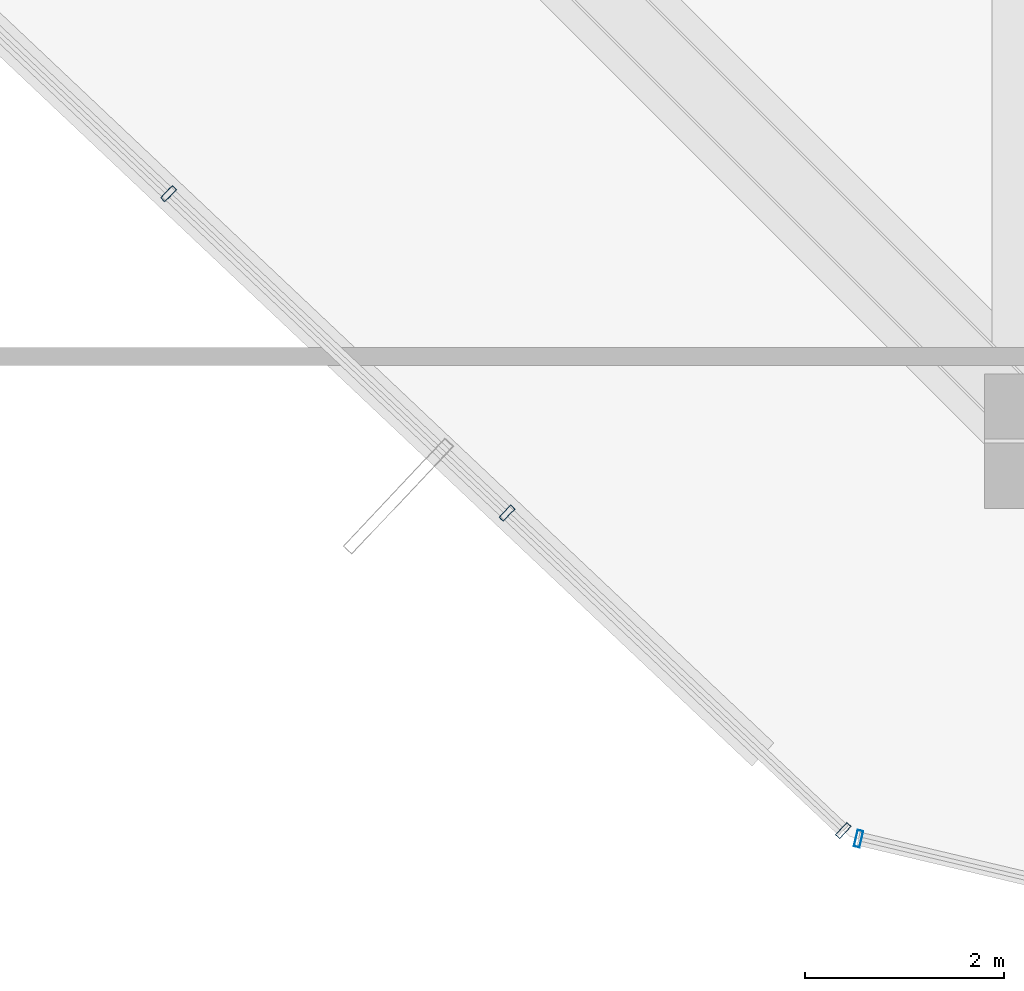
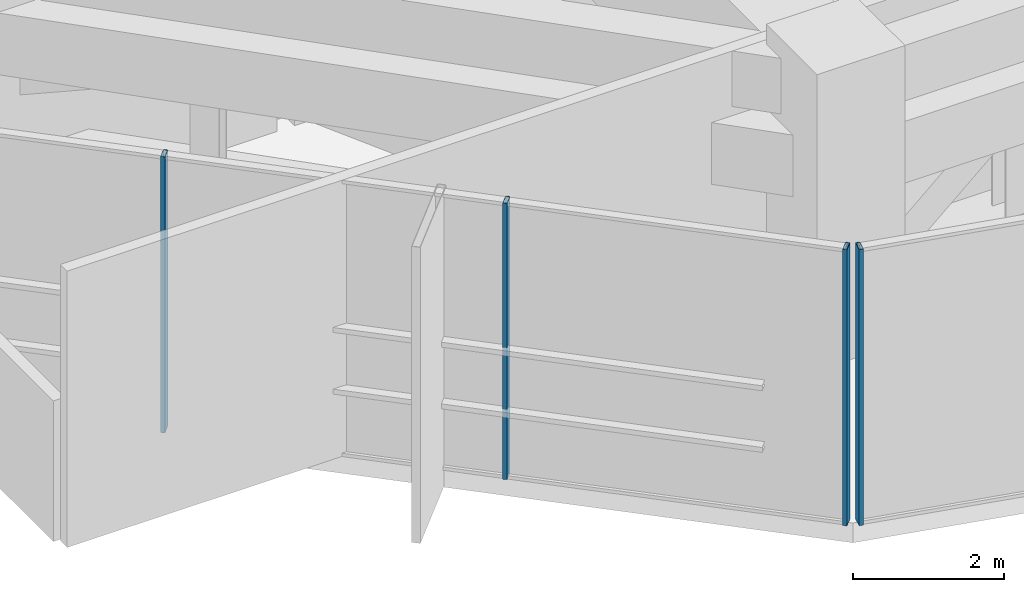
# One storey, part 2 of 41: 4 members, 2 elements without a shape of their own.
"""IFC4 building model written with IfcOpenShell, lengths in metres."""

from ifc_helpers import new_model, si_unit, direction, frame, origin, origin_2d, place, context, subcontext, project, spatial, hollow_rectangle, extrude, source, transform, mapped, material, layer, layer_set, material_profile, profile_set, type_object, element, aggregate, save


model = new_model("IFC4")

# Units and contexts
model_context = context("Model", 3, precision=1e-05, world=origin(), true_north=direction((0.0, 1.0)))
body_context = subcontext(model_context, "Body", "Model", "MODEL_VIEW")
ifc_project = project(units=[si_unit("LENGTHUNIT", "METRE"), si_unit("AREAUNIT", "SQUARE_METRE"), si_unit("VOLUMEUNIT", "CUBIC_METRE"), si_unit("PLANEANGLEUNIT", "RADIAN"), si_unit("MASSUNIT", "GRAM", prefix="KILO")], contexts=[model_context])

# Site, building, storey
site_placement = place(None, origin())
site = spatial("IfcSite", under=ifc_project, at=site_placement, CompositionType="ELEMENT")
building_placement = place(site_placement, origin())
building = spatial("IfcBuilding", under=site, at=building_placement, Name="Veraguas Prism Commons", CompositionType="ELEMENT")
storey_placement = place(building_placement, frame((0.0, 0.0, 80.35009765625)))
storey = spatial("IfcBuildingStorey", under=building, at=storey_placement, Name="L22", CompositionType="ELEMENT", Elevation=80.35009765625)

# Curtain wall, members
ifc_material = material(Name="Anodised aluminium EN AW-6063 T6", Category="aluminium")
ifc_layer = layer(ifc_material, 0.169921875, Name="Unitised Flush Curtain Wall Zone 1", Category="aluminium")
ifc_layer_set = layer_set([ifc_layer], Name="Anodised aluminium EN AW-6063 T6")
curtain_wall_type = type_object("IfcCurtainWallType", Name="Unitised Flush Curtain Wall Zone 1", PredefinedType="NOTDEFINED", material=ifc_layer_set)
curtain_wall_1_placement = place(storey_placement, origin())
curtain_wall_1 = element("IfcCurtainWall", 1, at=curtain_wall_1_placement, inside=storey, type_object=curtain_wall_type, Name="Tower Facade Curtain Wall L22-F4", PredefinedType="NOTDEFINED")
ifc_material_profile = material_profile(ifc_material, hollow_rectangle(XDim=0.06005859375, YDim=0.169921875, WallThickness=0.00390625, at=origin_2d()), Name="AL60X170X4")
ifc_profile_set = profile_set([ifc_material_profile], Name="Anodised aluminium EN AW-6063 T6")
member_type = type_object("IfcMemberType", Name="Curtain Wall Mullion Lower AL 60x170x4", PredefinedType="MULLION", material=ifc_profile_set)
shared_shape = source(origin(), body_context, "Body", "SweptSolid", [
    extrude(hollow_rectangle(XDim=0.06005859375, YDim=0.169921875, WallThickness=0.00390625, at=origin_2d()), origin(), (0.0, 0.0, 1.0), 4.47998046875),
])
member_1_placement = place(storey_placement, frame((9.73486328125, 8.883544921875, 0.0), z_axis=(0.0, 0.0, 1.0), x_axis=(0.727294986673, -0.686324997621, 0.0)))
member_1 = element("IfcMember", 2, at=member_1_placement, type_object=member_type, Name="CW-Z1 Mullion 3", PredefinedType="MULLION", context=body_context, shape_type="MappedRepresentation", body=[
    mapped(shared_shape, transform((0.0, 0.0, 0.0), scale=1.0)),
])
member_2_placement = place(storey_placement, frame((13.132080078125, 5.677734375, 0.0), z_axis=(0.0, 0.0, 1.0), x_axis=(0.727294986673, -0.686324997621, 0.0)))
member_2 = element("IfcMember", 3, at=member_2_placement, type_object=member_type, Name="CW-Z1 Mullion 4", PredefinedType="MULLION", context=body_context, shape_type="MappedRepresentation", body=[
    mapped(shared_shape, transform((0.0, 0.0, 0.0), scale=1.0)),
])
member_3_placement = place(storey_placement, frame((16.507568359375, 2.492431640625, 0.0), z_axis=(0.0, 0.0, 1.0), x_axis=(0.727294986673, -0.686324997621, 0.0)))
member_3 = element("IfcMember", 4, at=member_3_placement, type_object=member_type, Name="CW-Z1 Mullion 5", PredefinedType="MULLION", context=body_context, shape_type="MappedRepresentation", body=[
    mapped(shared_shape, transform((0.0, 0.0, 0.0), scale=1.0)),
])
aggregate(curtain_wall_1, [member_1, member_2, member_3])

# Curtain wall, member
curtain_wall_2_placement = place(storey_placement, origin())
curtain_wall_2 = element("IfcCurtainWall", 5, at=curtain_wall_2_placement, inside=storey, type_object=curtain_wall_type, Name="Chamfer Curtain Wall L22-C5", PredefinedType="NOTDEFINED")
member_4_placement = place(storey_placement, frame((16.660400390625, 2.409912109375, 0.0), z_axis=(0.0, 0.0, 1.0), x_axis=(0.973012392552, -0.23075286334, 0.0)))
member_4 = element("IfcMember", 6, at=member_4_placement, type_object=member_type, Name="CW-Z1 Mullion 1", PredefinedType="MULLION", context=body_context, shape_type="MappedRepresentation", body=[
    mapped(shared_shape, transform((0.0, 0.0, 0.0), scale=1.0)),
])
aggregate(curtain_wall_2, [member_4])

save(model, "model.ifc")
